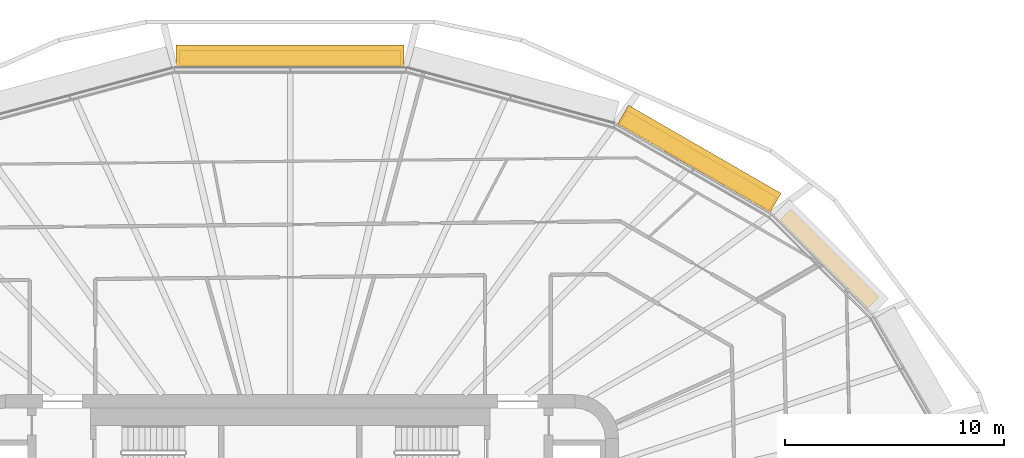
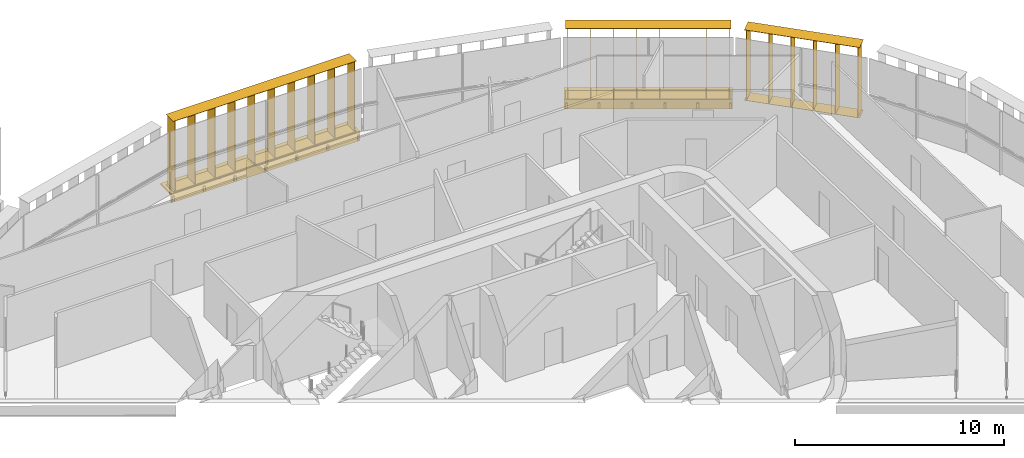
# One storey, part 24 of 24: 5 shading devices.
"""IFC4 building model written with IfcOpenShell, lengths in metres."""

import ifcopenshell
import ifcopenshell.guid

model = None  # the IFC model being written
_history = None  # IfcOwnerHistory: only IFC2X3 demands one
_inside = {}  # id of a spatial element -> (the spatial element, [elements in it])
_under = {}  # id of a project, library or spatial element -> (it, [spatial elements below it])
_declared = {}  # id of a project -> (the project, [libraries it declares])
_typed = {}  # id of a type object -> (the type object, [elements of that type])
_made_of = {}  # id of a material, layer set ... -> (it, [elements and type objects made of it])


def new_model(schema):
    """Start an empty IFC model of exactly this schema.

    Asked for "IFC4X3", IfcOpenShell would pick the latest addendum, in which some entities
    have other attributes; the version numbers below select the first issue.
    IFC2X3 requires an IfcOwnerHistory on every rooted entity: one is made here for all.
    """
    global model, _history
    if schema == "IFC4X3":
        model = ifcopenshell.file(schema_version=(4, 3, 0, 0))
    else:
        model = ifcopenshell.file(schema=schema)
    _inside.clear()
    _under.clear()
    _declared.clear()
    _typed.clear()
    _made_of.clear()
    _history = None
    if model.schema == "IFC2X3":
        org = make("IfcOrganization", Name="unknown")
        user = make(
            "IfcPersonAndOrganization",
            ThePerson=make("IfcPerson", FamilyName="unknown"),
            TheOrganization=org,
        )
        app = make(
            "IfcApplication",
            ApplicationDeveloper=org,
            Version="unknown",
            ApplicationFullName="unknown",
            ApplicationIdentifier="unknown",
        )
        _history = make(
            "IfcOwnerHistory",
            OwningUser=user,
            OwningApplication=app,
            ChangeAction="ADDED",
            CreationDate=0,
        )
    return model


def make(cls, **values):
    """One entity of the class cls with the attributes given. An attribute that is None is left unset."""
    return model.create_entity(
        cls, **{name: value for name, value in values.items() if value is not None}
    )


def rooted(cls, **values):
    """An entity with a GlobalId (a new one), such as an element, a storey or a relation."""
    return make(cls, GlobalId=ifcopenshell.guid.new(), OwnerHistory=_history, **values)


def si_unit(unit_type, name, prefix=None):
    """IfcSIUnit, for example si_unit("LENGTHUNIT", "METRE", prefix="MILLI")."""
    return make("IfcSIUnit", UnitType=unit_type, Prefix=prefix, Name=name)


def assignment(units):
    """IfcUnitAssignment: the units of a project."""
    return None if units is None else make("IfcUnitAssignment", Units=units)


def point(xyz):
    """IfcCartesianPoint."""
    return None if xyz is None else make("IfcCartesianPoint", Coordinates=xyz)


def direction(xyz):
    """IfcDirection."""
    return None if xyz is None else make("IfcDirection", DirectionRatios=xyz)


def frame(location, z_axis=None, x_axis=None):
    """IfcAxis2Placement3D, a coordinate frame: its origin and axes. An axis left out is left unset."""
    return make(
        "IfcAxis2Placement3D",
        Location=point(location),
        Axis=direction(z_axis),
        RefDirection=direction(x_axis),
    )


def frame_2d(location, x_axis=None):
    """IfcAxis2Placement2D, a coordinate frame in the plane: its origin and x axis."""
    return make(
        "IfcAxis2Placement2D", Location=point(location), RefDirection=direction(x_axis)
    )


def origin():
    """The frame at (0, 0, 0) with its axes left unset."""
    return frame((0.0, 0.0, 0.0))


def origin_2d():
    """The frame at (0, 0) in the plane with its x axis left unset."""
    return frame_2d((0.0, 0.0))


def place(relative_to, where):
    """IfcLocalPlacement: puts the frame where relative to a parent placement (None: the world)."""
    return make(
        "IfcLocalPlacement", PlacementRelTo=relative_to, RelativePlacement=where
    )


def context(
    kind, dimensions, precision=None, world=None, true_north=None, identifier=None
):
    """IfcGeometricRepresentationContext, for example the 3D "Model" context."""
    return make(
        "IfcGeometricRepresentationContext",
        ContextIdentifier=identifier,
        ContextType=kind,
        CoordinateSpaceDimension=dimensions,
        Precision=precision,
        WorldCoordinateSystem=world,
        TrueNorth=true_north,
    )


def subcontext(parent, identifier, kind, view, scale=None):
    """IfcGeometricRepresentationSubContext, for example "Body" below "Model"."""
    return make(
        "IfcGeometricRepresentationSubContext",
        ContextIdentifier=identifier,
        ContextType=kind,
        ParentContext=parent,
        TargetScale=scale,
        TargetView=view,
    )


def project(units=None, contexts=None):
    """IfcProject with its units and contexts."""
    return rooted(
        "IfcProject",
        Name="project",
        RepresentationContexts=contexts,
        UnitsInContext=assignment(units),
    )


def spatial(cls, under=None, at=None, **own):
    """A site, building, storey or space (cls), placed at a placement, below another one or the project."""
    s = rooted(cls, ObjectPlacement=at, **own)
    if under is not None:
        _under.setdefault(under.id(), (under, []))[1].append(s)
    return s


def profile(cls, at=None, kind="AREA", **sizes):
    """A parametric profile (cls). Its sizes go by their IFC names, for example OverallWidth=200.0."""
    return make(cls, ProfileType=kind, Position=at, **sizes)


def rectangle(**sizes):
    """IfcRectangleProfileDef."""
    return profile("IfcRectangleProfileDef", **sizes)


def extrude(swept, where, along, depth):
    """IfcExtrudedAreaSolid: the profile swept, set in the frame where, extruded along a direction by depth."""
    return make(
        "IfcExtrudedAreaSolid",
        SweptArea=swept,
        Position=where,
        ExtrudedDirection=direction(along),
        Depth=depth,
    )


def shape(context_of_items, identifier, shape_type, items):
    """IfcShapeRepresentation: the items that make up one representation, for example the "Body"."""
    return make(
        "IfcShapeRepresentation",
        ContextOfItems=context_of_items,
        RepresentationIdentifier=identifier,
        RepresentationType=shape_type,
        Items=items,
    )


def material(Name=None, Category=None):
    """IfcMaterial."""
    return make("IfcMaterial", Name=Name, Category=Category)


def made_of(thing, what):
    """Note that an element or type object is made of a material, layer set ...; save() writes the relation."""
    if what is not None:
        _made_of.setdefault(what.id(), (what, []))[1].append(thing)
    return thing


def type_object(cls, material=None, **own):
    """A type object (cls), such as IfcWallType, which elements share."""
    return made_of(rooted(cls, **own), material)


def element(
    cls,
    number,
    at=None,
    inside=None,
    cuts=None,
    type_object=None,
    material=None,
    context=None,
    identifier="Body",
    shape_type=None,
    held_by="IfcProductDefinitionShape",
    body=None,
    shapes=None,
    **own,
):
    """One element of the class cls, such as IfcWall. Its Tag is "e" and its number.

    at: its placement. inside: the storey or other place that contains it. cuts: it is an
    opening in that element (IfcRelVoidsElement). A single representation is given by context,
    identifier, shape_type and body (its items); several are given by shapes. held_by: the class
    of the entity that holds the representations. save() writes the other relations.
    """
    e = rooted(cls, Tag="e%d" % number, ObjectPlacement=at, **own)
    if body is not None:
        shapes = [shape(context, identifier, shape_type, body)]
    if shapes is not None:
        e.Representation = make(held_by, Representations=shapes)
    if inside is not None:
        _inside.setdefault(inside.id(), (inside, []))[1].append(e)
    if cuts is not None:
        rooted(
            "IfcRelVoidsElement", RelatingBuildingElement=cuts, RelatedOpeningElement=e
        )
    if type_object is not None:
        _typed.setdefault(type_object.id(), (type_object, []))[1].append(e)
    return made_of(e, material)


def aggregate(whole, parts):
    """IfcRelAggregates: a whole, such as a stair, and the parts it consists of."""
    return rooted("IfcRelAggregates", RelatingObject=whole, RelatedObjects=parts)


def save(model, path):
    """Write the relations noted so far, then the file.

    IfcRelAggregates (storeys below a building ...), IfcRelContainedInSpatialStructure (elements
    in a storey), IfcRelDefinesByType, IfcRelAssociatesMaterial and IfcRelDeclares: one each for
    every whole, place, type object, material and project.
    """
    for whole, parts in _under.values():
        aggregate(whole, parts)
    for where, things in _inside.values():
        rooted(
            "IfcRelContainedInSpatialStructure",
            RelatedElements=things,
            RelatingStructure=where,
        )
    for kind, things in _typed.values():
        rooted("IfcRelDefinesByType", RelatedObjects=things, RelatingType=kind)
    for what, things in _made_of.values():
        rooted("IfcRelAssociatesMaterial", RelatedObjects=things, RelatingMaterial=what)
    for by, libraries in _declared.values():
        rooted("IfcRelDeclares", RelatingContext=by, RelatedDefinitions=libraries)
    model.write(path)


model = new_model("IFC4")

# Units and contexts
model_context = context("Model", 3, precision=1e-05, world=origin(), true_north=direction((0.0, 1.0)))
body_context = subcontext(model_context, "Body", "Model", "MODEL_VIEW")
ifc_project = project(units=[si_unit("LENGTHUNIT", "METRE"), si_unit("AREAUNIT", "SQUARE_METRE"), si_unit("VOLUMEUNIT", "CUBIC_METRE"), si_unit("PLANEANGLEUNIT", "RADIAN"), si_unit("MASSUNIT", "GRAM", prefix="KILO")], contexts=[model_context])

# Site, building, storey
site_placement = place(None, origin())
site = spatial("IfcSite", under=ifc_project, at=site_placement, CompositionType="ELEMENT")
building_placement = place(site_placement, origin())
building = spatial("IfcBuilding", under=site, at=building_placement, Name="Sahrelin Media Tower", CompositionType="ELEMENT")
storey_placement = place(building_placement, frame((0.0, 0.0, 58.800048828125)))
storey = spatial("IfcBuildingStorey", under=building, at=storey_placement, Name="L09", CompositionType="ELEMENT", Elevation=58.800048828125)

# Shading devices
ifc_material = material(Name="Champagne anodised aluminium 6063-T6", Category="aluminium")
shading_device_type_1 = type_object("IfcShadingDeviceType", Name="Fin cassette", PredefinedType="USERDEFINED", material=ifc_material)
shading_device_1_placement = place(storey_placement, frame((24.331787109375, 13.929931640625, 0.0), z_axis=(0.0, 0.0, 1.0), x_axis=(0.707106781187, -0.707106781187, 0.0)))
element("IfcShadingDevice", 1, at=shading_device_1_placement, inside=storey, type_object=shading_device_type_1, Name="L09:FIN:L09-03", ObjectType="FIN", PredefinedType="USERDEFINED", context=body_context, shape_type="SweptSolid", body=[
    extrude(rectangle(XDim=5.699951171875, YDim=0.699951171875, at=origin_2d()), frame((0.0, 0.419921875, 0.0)), (0.0, 0.0, 1.0), 0.02001953125),
    extrude(rectangle(XDim=5.699951171875, YDim=0.699951171875, at=origin_2d()), frame((0.0, 0.419921875, 4.10009765625)), (0.0, 0.0, 1.0), 0.02001953125),
    extrude(rectangle(XDim=0.02001953125, YDim=0.699951171875, at=origin_2d()), frame((-2.75, 0.419921875, 0.010009765625), z_axis=(0.0, 0.0, 1.0), x_axis=(1.0, 0.0, 0.0)), (0.0, 0.0, 1.0), 4.10009765625),
    extrude(rectangle(XDim=0.02001953125, YDim=0.699951171875, at=origin_2d()), frame((-1.64990234375, 0.419921875, 0.010009765625), z_axis=(0.0, 0.0, 1.0), x_axis=(1.0, 0.0, 0.0)), (0.0, 0.0, 1.0), 4.10009765625),
    extrude(rectangle(XDim=0.02001953125, YDim=0.699951171875, at=origin_2d()), frame((-0.550048828125, 0.419921875, 0.010009765625), z_axis=(0.0, 0.0, 1.0), x_axis=(1.0, 0.0, 0.0)), (0.0, 0.0, 1.0), 4.10009765625),
    extrude(rectangle(XDim=0.02001953125, YDim=0.699951171875, at=origin_2d()), frame((0.550048828125, 0.419921875, 0.010009765625), z_axis=(0.0, 0.0, 1.0), x_axis=(1.0, 0.0, 0.0)), (0.0, 0.0, 1.0), 4.10009765625),
    extrude(rectangle(XDim=0.02001953125, YDim=0.699951171875, at=origin_2d()), frame((1.64990234375, 0.419921875, 0.010009765625), z_axis=(0.0, 0.0, 1.0), x_axis=(1.0, 0.0, 0.0)), (0.0, 0.0, 1.0), 4.10009765625),
    extrude(rectangle(XDim=0.02001953125, YDim=0.699951171875, at=origin_2d()), frame((2.75, 0.419921875, 0.010009765625), z_axis=(0.0, 0.0, 1.0), x_axis=(1.0, 0.0, 0.0)), (0.0, 0.0, 1.0), 4.10009765625),
])
placement_1 = place(storey_placement, frame((18.427490234375, 18.32568359375, 0.0), z_axis=(0.0, 0.0, 1.0), x_axis=(0.866019052629, -0.500011000363, 0.0)))
element("IfcShadingDevice", 2, at=placement_1, inside=storey, type_object=shading_device_type_1, Name="L09:FIN:L09-04", ObjectType="FIN", PredefinedType="USERDEFINED", context=body_context, shape_type="SweptSolid", body=[
    extrude(rectangle(XDim=7.89990234375, YDim=0.699951171875, at=origin_2d()), frame((0.0, 0.419921875, 0.0)), (0.0, 0.0, 1.0), 0.02001953125),
    extrude(rectangle(XDim=7.89990234375, YDim=0.699951171875, at=origin_2d()), frame((0.0, 0.419921875, 4.10009765625)), (0.0, 0.0, 1.0), 0.02001953125),
    extrude(rectangle(XDim=0.02001953125, YDim=0.699951171875, at=origin_2d()), frame((-3.85009765625, 0.419921875, 0.010009765625), z_axis=(0.0, 0.0, 1.0), x_axis=(1.0, 0.0, 0.0)), (0.0, 0.0, 1.0), 4.10009765625),
    extrude(rectangle(XDim=0.02001953125, YDim=0.699951171875, at=origin_2d()), frame((-2.75, 0.419921875, 0.010009765625), z_axis=(0.0, 0.0, 1.0), x_axis=(1.0, 0.0, 0.0)), (0.0, 0.0, 1.0), 4.10009765625),
    extrude(rectangle(XDim=0.02001953125, YDim=0.699951171875, at=origin_2d()), frame((-1.64990234375, 0.419921875, 0.010009765625), z_axis=(0.0, 0.0, 1.0), x_axis=(1.0, 0.0, 0.0)), (0.0, 0.0, 1.0), 4.10009765625),
    extrude(rectangle(XDim=0.02001953125, YDim=0.699951171875, at=origin_2d()), frame((-0.550048828125, 0.419921875, 0.010009765625), z_axis=(0.0, 0.0, 1.0), x_axis=(1.0, 0.0, 0.0)), (0.0, 0.0, 1.0), 4.10009765625),
    extrude(rectangle(XDim=0.02001953125, YDim=0.699951171875, at=origin_2d()), frame((0.550048828125, 0.419921875, 0.010009765625), z_axis=(0.0, 0.0, 1.0), x_axis=(1.0, 0.0, 0.0)), (0.0, 0.0, 1.0), 4.10009765625),
    extrude(rectangle(XDim=0.02001953125, YDim=0.699951171875, at=origin_2d()), frame((1.64990234375, 0.419921875, 0.010009765625), z_axis=(0.0, 0.0, 1.0), x_axis=(1.0, 0.0, 0.0)), (0.0, 0.0, 1.0), 4.10009765625),
    extrude(rectangle(XDim=0.02001953125, YDim=0.699951171875, at=origin_2d()), frame((2.75, 0.419921875, 0.010009765625), z_axis=(0.0, 0.0, 1.0), x_axis=(1.0, 0.0, 0.0)), (0.0, 0.0, 1.0), 4.10009765625),
    extrude(rectangle(XDim=0.02001953125, YDim=0.699951171875, at=origin_2d()), frame((3.85009765625, 0.419921875, 0.010009765625), z_axis=(0.0, 0.0, 1.0), x_axis=(1.0, 0.0, 0.0)), (0.0, 0.0, 1.0), 4.10009765625),
])
placement_2 = place(storey_placement, frame((0.0, 22.945068359375, 0.0), z_axis=(0.0, 0.0, 1.0), x_axis=(1.0, 0.0, 0.0)))
element("IfcShadingDevice", 3, at=placement_2, inside=storey, type_object=shading_device_type_1, Name="L09:FIN:L09-06", ObjectType="FIN", PredefinedType="USERDEFINED", context=body_context, shape_type="SweptSolid", body=[
    extrude(rectangle(XDim=10.10009765625, YDim=0.699951171875, at=origin_2d()), frame((0.0, 0.419921875, 0.0)), (0.0, 0.0, 1.0), 0.02001953125),
    extrude(rectangle(XDim=10.10009765625, YDim=0.699951171875, at=origin_2d()), frame((0.0, 0.419921875, 4.10009765625)), (0.0, 0.0, 1.0), 0.02001953125),
    extrude(rectangle(XDim=0.02001953125, YDim=0.699951171875, at=origin_2d()), frame((-4.949951171875, 0.419921875, 0.010009765625), z_axis=(0.0, 0.0, 1.0), x_axis=(1.0, 0.0, 0.0)), (0.0, 0.0, 1.0), 4.10009765625),
    extrude(rectangle(XDim=0.02001953125, YDim=0.699951171875, at=origin_2d()), frame((-3.85009765625, 0.419921875, 0.010009765625), z_axis=(0.0, 0.0, 1.0), x_axis=(1.0, 0.0, 0.0)), (0.0, 0.0, 1.0), 4.10009765625),
    extrude(rectangle(XDim=0.02001953125, YDim=0.699951171875, at=origin_2d()), frame((-2.75, 0.419921875, 0.010009765625), z_axis=(0.0, 0.0, 1.0), x_axis=(1.0, 0.0, 0.0)), (0.0, 0.0, 1.0), 4.10009765625),
    extrude(rectangle(XDim=0.02001953125, YDim=0.699951171875, at=origin_2d()), frame((-1.64990234375, 0.419921875, 0.010009765625), z_axis=(0.0, 0.0, 1.0), x_axis=(1.0, 0.0, 0.0)), (0.0, 0.0, 1.0), 4.10009765625),
    extrude(rectangle(XDim=0.02001953125, YDim=0.699951171875, at=origin_2d()), frame((-0.550048828125, 0.419921875, 0.010009765625), z_axis=(0.0, 0.0, 1.0), x_axis=(1.0, 0.0, 0.0)), (0.0, 0.0, 1.0), 4.10009765625),
    extrude(rectangle(XDim=0.02001953125, YDim=0.699951171875, at=origin_2d()), frame((0.550048828125, 0.419921875, 0.010009765625), z_axis=(0.0, 0.0, 1.0), x_axis=(1.0, 0.0, 0.0)), (0.0, 0.0, 1.0), 4.10009765625),
    extrude(rectangle(XDim=0.02001953125, YDim=0.699951171875, at=origin_2d()), frame((1.64990234375, 0.419921875, 0.010009765625), z_axis=(0.0, 0.0, 1.0), x_axis=(1.0, 0.0, 0.0)), (0.0, 0.0, 1.0), 4.10009765625),
    extrude(rectangle(XDim=0.02001953125, YDim=0.699951171875, at=origin_2d()), frame((2.75, 0.419921875, 0.010009765625), z_axis=(0.0, 0.0, 1.0), x_axis=(1.0, 0.0, 0.0)), (0.0, 0.0, 1.0), 4.10009765625),
    extrude(rectangle(XDim=0.02001953125, YDim=0.699951171875, at=origin_2d()), frame((3.85009765625, 0.419921875, 0.010009765625), z_axis=(0.0, 0.0, 1.0), x_axis=(1.0, 0.0, 0.0)), (0.0, 0.0, 1.0), 4.10009765625),
    extrude(rectangle(XDim=0.02001953125, YDim=0.699951171875, at=origin_2d()), frame((4.949951171875, 0.419921875, 0.010009765625), z_axis=(0.0, 0.0, 1.0), x_axis=(1.0, 0.0, 0.0)), (0.0, 0.0, 1.0), 4.10009765625),
])
shading_device_type_2 = type_object("IfcShadingDeviceType", Name="Sunshade band", PredefinedType="USERDEFINED", material=ifc_material)
element("IfcShadingDevice", 4, at=placement_1, inside=storey, type_object=shading_device_type_2, Name="L09:SUN:L09-04", ObjectType="SUNSHADE", PredefinedType="USERDEFINED", context=body_context, shape_type="SweptSolid", body=[
    extrude(rectangle(XDim=8.041748046875, YDim=0.050048828125, at=origin_2d()), frame((0.0, 0.044921875, -0.55126953125)), (0.0, 0.0, 1.0), 0.471435546875),
    extrude(rectangle(XDim=8.041748046875, YDim=1.0, at=origin_2d()), frame((0.0, 0.52001953125, -0.080078125)), (0.0, 0.0, 1.0), 0.080078125),
    extrude(rectangle(XDim=0.10009765625, YDim=0.074951171875, at=origin_2d()), frame((-3.9208984375, -0.017578125, -0.47021484375)), (0.0, 0.0, 1.0), 0.300048828125),
    extrude(rectangle(XDim=0.10009765625, YDim=0.074951171875, at=origin_2d()), frame((-2.3525390625, -0.017578125, -0.47021484375)), (0.0, 0.0, 1.0), 0.300048828125),
    extrude(rectangle(XDim=0.10009765625, YDim=0.074951171875, at=origin_2d()), frame((-0.7841796875, -0.017578125, -0.47021484375)), (0.0, 0.0, 1.0), 0.300048828125),
    extrude(rectangle(XDim=0.10009765625, YDim=0.074951171875, at=origin_2d()), frame((0.7841796875, -0.017578125, -0.47021484375)), (0.0, 0.0, 1.0), 0.300048828125),
    extrude(rectangle(XDim=0.10009765625, YDim=0.074951171875, at=origin_2d()), frame((2.3525390625, -0.017578125, -0.47021484375)), (0.0, 0.0, 1.0), 0.300048828125),
    extrude(rectangle(XDim=0.10009765625, YDim=0.074951171875, at=origin_2d()), frame((3.9208984375, -0.017578125, -0.47021484375)), (0.0, 0.0, 1.0), 0.300048828125),
])
element("IfcShadingDevice", 5, at=placement_2, inside=storey, type_object=shading_device_type_2, Name="L09:SUN:L09-06", ObjectType="SUNSHADE", PredefinedType="USERDEFINED", context=body_context, shape_type="SweptSolid", body=[
    extrude(rectangle(XDim=10.418701171875, YDim=0.050048828125, at=origin_2d()), frame((0.0, 0.044921875, -0.55126953125)), (0.0, 0.0, 1.0), 0.471435546875),
    extrude(rectangle(XDim=10.418701171875, YDim=1.0, at=origin_2d()), frame((0.0, 0.52001953125, -0.080078125)), (0.0, 0.0, 1.0), 0.080078125),
    extrude(rectangle(XDim=0.10009765625, YDim=0.074951171875, at=origin_2d()), frame((-5.109375, -0.017578125, -0.47021484375)), (0.0, 0.0, 1.0), 0.300048828125),
    extrude(rectangle(XDim=0.10009765625, YDim=0.074951171875, at=origin_2d()), frame((-3.40625, -0.017578125, -0.47021484375)), (0.0, 0.0, 1.0), 0.300048828125),
    extrude(rectangle(XDim=0.10009765625, YDim=0.074951171875, at=origin_2d()), frame((-1.703125, -0.017578125, -0.47021484375)), (0.0, 0.0, 1.0), 0.300048828125),
    extrude(rectangle(XDim=0.10009765625, YDim=0.074951171875, at=origin_2d()), frame((0.0, -0.017578125, -0.47021484375)), (0.0, 0.0, 1.0), 0.300048828125),
    extrude(rectangle(XDim=0.10009765625, YDim=0.074951171875, at=origin_2d()), frame((1.703125, -0.017578125, -0.47021484375)), (0.0, 0.0, 1.0), 0.300048828125),
    extrude(rectangle(XDim=0.10009765625, YDim=0.074951171875, at=origin_2d()), frame((3.40625, -0.017578125, -0.47021484375)), (0.0, 0.0, 1.0), 0.300048828125),
    extrude(rectangle(XDim=0.10009765625, YDim=0.074951171875, at=origin_2d()), frame((5.109375, -0.017578125, -0.47021484375)), (0.0, 0.0, 1.0), 0.300048828125),
])

save(model, "model.ifc")
